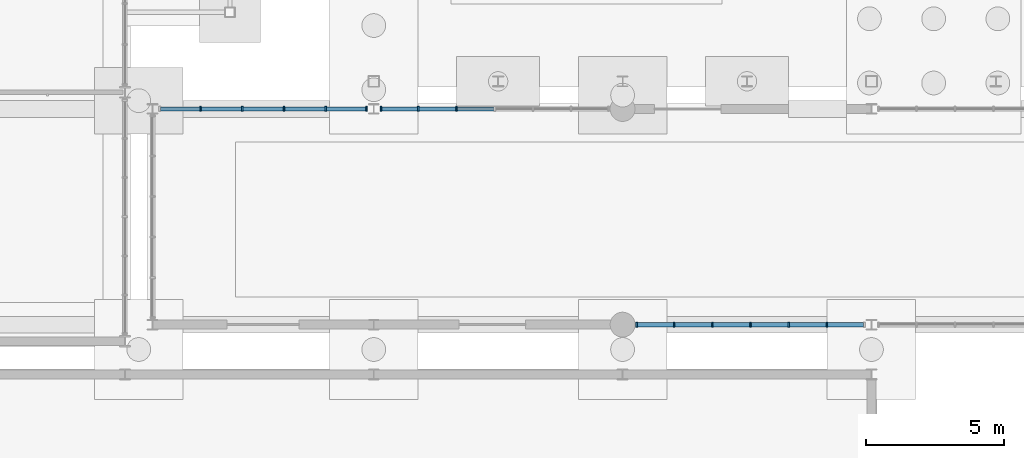
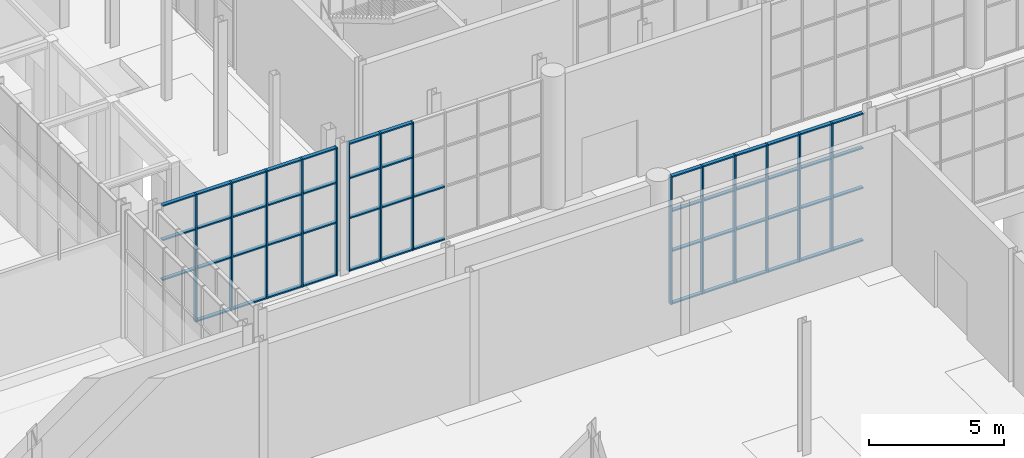
# One storey, part 41 of 131: 67 members, 3 elements without a shape of their own.
"""IFC4 building model written with IfcOpenShell, lengths in metres."""

import ifcopenshell
import ifcopenshell.guid

model = None  # the IFC model being written
_history = None  # IfcOwnerHistory: only IFC2X3 demands one
_inside = {}  # id of a spatial element -> (the spatial element, [elements in it])
_under = {}  # id of a project, library or spatial element -> (it, [spatial elements below it])
_declared = {}  # id of a project -> (the project, [libraries it declares])
_typed = {}  # id of a type object -> (the type object, [elements of that type])
_made_of = {}  # id of a material, layer set ... -> (it, [elements and type objects made of it])


def new_model(schema):
    """Start an empty IFC model of exactly this schema.

    Asked for "IFC4X3", IfcOpenShell would pick the latest addendum, in which some entities
    have other attributes; the version numbers below select the first issue.
    IFC2X3 requires an IfcOwnerHistory on every rooted entity: one is made here for all.
    """
    global model, _history
    if schema == "IFC4X3":
        model = ifcopenshell.file(schema_version=(4, 3, 0, 0))
    else:
        model = ifcopenshell.file(schema=schema)
    _inside.clear()
    _under.clear()
    _declared.clear()
    _typed.clear()
    _made_of.clear()
    _history = None
    if model.schema == "IFC2X3":
        org = make("IfcOrganization", Name="unknown")
        user = make(
            "IfcPersonAndOrganization",
            ThePerson=make("IfcPerson", FamilyName="unknown"),
            TheOrganization=org,
        )
        app = make(
            "IfcApplication",
            ApplicationDeveloper=org,
            Version="unknown",
            ApplicationFullName="unknown",
            ApplicationIdentifier="unknown",
        )
        _history = make(
            "IfcOwnerHistory",
            OwningUser=user,
            OwningApplication=app,
            ChangeAction="ADDED",
            CreationDate=0,
        )
    return model


def make(cls, **values):
    """One entity of the class cls with the attributes given. An attribute that is None is left unset."""
    return model.create_entity(
        cls, **{name: value for name, value in values.items() if value is not None}
    )


def rooted(cls, **values):
    """An entity with a GlobalId (a new one), such as an element, a storey or a relation."""
    return make(cls, GlobalId=ifcopenshell.guid.new(), OwnerHistory=_history, **values)


def si_unit(unit_type, name, prefix=None):
    """IfcSIUnit, for example si_unit("LENGTHUNIT", "METRE", prefix="MILLI")."""
    return make("IfcSIUnit", UnitType=unit_type, Prefix=prefix, Name=name)


def assignment(units):
    """IfcUnitAssignment: the units of a project."""
    return None if units is None else make("IfcUnitAssignment", Units=units)


def point(xyz):
    """IfcCartesianPoint."""
    return None if xyz is None else make("IfcCartesianPoint", Coordinates=xyz)


def direction(xyz):
    """IfcDirection."""
    return None if xyz is None else make("IfcDirection", DirectionRatios=xyz)


def frame(location, z_axis=None, x_axis=None):
    """IfcAxis2Placement3D, a coordinate frame: its origin and axes. An axis left out is left unset."""
    return make(
        "IfcAxis2Placement3D",
        Location=point(location),
        Axis=direction(z_axis),
        RefDirection=direction(x_axis),
    )


def frame_2d(location, x_axis=None):
    """IfcAxis2Placement2D, a coordinate frame in the plane: its origin and x axis."""
    return make(
        "IfcAxis2Placement2D", Location=point(location), RefDirection=direction(x_axis)
    )


def origin():
    """The frame at (0, 0, 0) with its axes left unset."""
    return frame((0.0, 0.0, 0.0))


def origin_2d():
    """The frame at (0, 0) in the plane with its x axis left unset."""
    return frame_2d((0.0, 0.0))


def place(relative_to, where):
    """IfcLocalPlacement: puts the frame where relative to a parent placement (None: the world)."""
    return make(
        "IfcLocalPlacement", PlacementRelTo=relative_to, RelativePlacement=where
    )


def context(
    kind, dimensions, precision=None, world=None, true_north=None, identifier=None
):
    """IfcGeometricRepresentationContext, for example the 3D "Model" context."""
    return make(
        "IfcGeometricRepresentationContext",
        ContextIdentifier=identifier,
        ContextType=kind,
        CoordinateSpaceDimension=dimensions,
        Precision=precision,
        WorldCoordinateSystem=world,
        TrueNorth=true_north,
    )


def subcontext(parent, identifier, kind, view, scale=None):
    """IfcGeometricRepresentationSubContext, for example "Body" below "Model"."""
    return make(
        "IfcGeometricRepresentationSubContext",
        ContextIdentifier=identifier,
        ContextType=kind,
        ParentContext=parent,
        TargetScale=scale,
        TargetView=view,
    )


def project(units=None, contexts=None):
    """IfcProject with its units and contexts."""
    return rooted(
        "IfcProject",
        Name="project",
        RepresentationContexts=contexts,
        UnitsInContext=assignment(units),
    )


def spatial(cls, under=None, at=None, **own):
    """A site, building, storey or space (cls), placed at a placement, below another one or the project."""
    s = rooted(cls, ObjectPlacement=at, **own)
    if under is not None:
        _under.setdefault(under.id(), (under, []))[1].append(s)
    return s


def profile(cls, at=None, kind="AREA", **sizes):
    """A parametric profile (cls). Its sizes go by their IFC names, for example OverallWidth=200.0."""
    return make(cls, ProfileType=kind, Position=at, **sizes)


def rectangle(**sizes):
    """IfcRectangleProfileDef."""
    return profile("IfcRectangleProfileDef", **sizes)


def extrude(swept, where, along, depth):
    """IfcExtrudedAreaSolid: the profile swept, set in the frame where, extruded along a direction by depth."""
    return make(
        "IfcExtrudedAreaSolid",
        SweptArea=swept,
        Position=where,
        ExtrudedDirection=direction(along),
        Depth=depth,
    )


def shape(context_of_items, identifier, shape_type, items):
    """IfcShapeRepresentation: the items that make up one representation, for example the "Body"."""
    return make(
        "IfcShapeRepresentation",
        ContextOfItems=context_of_items,
        RepresentationIdentifier=identifier,
        RepresentationType=shape_type,
        Items=items,
    )


def material(Name=None, Category=None):
    """IfcMaterial."""
    return make("IfcMaterial", Name=Name, Category=Category)


def layer(
    of_material, thickness, ventilated=None, Name=None, Category=None, Priority=None
):
    """IfcMaterialLayer: one layer of a wall or slab, of a material (None: an air gap)."""
    return make(
        "IfcMaterialLayer",
        Material=of_material,
        LayerThickness=thickness,
        IsVentilated=ventilated,
        Name=Name,
        Category=Category,
        Priority=Priority,
    )


def layer_set(layers, Name=None):
    """IfcMaterialLayerSet."""
    return make("IfcMaterialLayerSet", MaterialLayers=layers, LayerSetName=Name)


def material_profile(
    of_material, cross_section, Name=None, Category=None, Priority=None
):
    """IfcMaterialProfile: a cross section and its material."""
    return make(
        "IfcMaterialProfile",
        Name=Name,
        Material=of_material,
        Profile=cross_section,
        Priority=Priority,
        Category=Category,
    )


def profile_set(profiles, Name=None, composite=None):
    """IfcMaterialProfileSet."""
    return make(
        "IfcMaterialProfileSet",
        Name=Name,
        MaterialProfiles=profiles,
        CompositeProfile=composite,
    )


def made_of(thing, what):
    """Note that an element or type object is made of a material, layer set ...; save() writes the relation."""
    if what is not None:
        _made_of.setdefault(what.id(), (what, []))[1].append(thing)
    return thing


def type_object(cls, material=None, **own):
    """A type object (cls), such as IfcWallType, which elements share."""
    return made_of(rooted(cls, **own), material)


def element(
    cls,
    number,
    at=None,
    inside=None,
    cuts=None,
    type_object=None,
    material=None,
    context=None,
    identifier="Body",
    shape_type=None,
    held_by="IfcProductDefinitionShape",
    body=None,
    shapes=None,
    **own,
):
    """One element of the class cls, such as IfcWall. Its Tag is "e" and its number.

    at: its placement. inside: the storey or other place that contains it. cuts: it is an
    opening in that element (IfcRelVoidsElement). A single representation is given by context,
    identifier, shape_type and body (its items); several are given by shapes. held_by: the class
    of the entity that holds the representations. save() writes the other relations.
    """
    e = rooted(cls, Tag="e%d" % number, ObjectPlacement=at, **own)
    if body is not None:
        shapes = [shape(context, identifier, shape_type, body)]
    if shapes is not None:
        e.Representation = make(held_by, Representations=shapes)
    if inside is not None:
        _inside.setdefault(inside.id(), (inside, []))[1].append(e)
    if cuts is not None:
        rooted(
            "IfcRelVoidsElement", RelatingBuildingElement=cuts, RelatedOpeningElement=e
        )
    if type_object is not None:
        _typed.setdefault(type_object.id(), (type_object, []))[1].append(e)
    return made_of(e, material)


def aggregate(whole, parts):
    """IfcRelAggregates: a whole, such as a stair, and the parts it consists of."""
    return rooted("IfcRelAggregates", RelatingObject=whole, RelatedObjects=parts)


def save(model, path):
    """Write the relations noted so far, then the file.

    IfcRelAggregates (storeys below a building ...), IfcRelContainedInSpatialStructure (elements
    in a storey), IfcRelDefinesByType, IfcRelAssociatesMaterial and IfcRelDeclares: one each for
    every whole, place, type object, material and project.
    """
    for whole, parts in _under.values():
        aggregate(whole, parts)
    for where, things in _inside.values():
        rooted(
            "IfcRelContainedInSpatialStructure",
            RelatedElements=things,
            RelatingStructure=where,
        )
    for kind, things in _typed.values():
        rooted("IfcRelDefinesByType", RelatedObjects=things, RelatingType=kind)
    for what, things in _made_of.values():
        rooted("IfcRelAssociatesMaterial", RelatedObjects=things, RelatingMaterial=what)
    for by, libraries in _declared.values():
        rooted("IfcRelDeclares", RelatingContext=by, RelatedDefinitions=libraries)
    model.write(path)


model = new_model("IFC4")

# Units and contexts
model_context = context("Model", 3, precision=1e-05, world=origin(), true_north=direction((0.0, 1.0)))
body_context = subcontext(model_context, "Body", "Model", "MODEL_VIEW")
ifc_project = project(units=[si_unit("LENGTHUNIT", "METRE"), si_unit("AREAUNIT", "SQUARE_METRE"), si_unit("VOLUMEUNIT", "CUBIC_METRE"), si_unit("PLANEANGLEUNIT", "RADIAN"), si_unit("MASSUNIT", "GRAM", prefix="KILO")], contexts=[model_context])

# Site, building, storey
site_placement = place(None, origin())
site = spatial("IfcSite", under=ifc_project, at=site_placement, CompositionType="ELEMENT")
building_placement = place(site_placement, origin())
building = spatial("IfcBuilding", under=site, at=building_placement, Name="Cazmaro Siding Exhibition Halls", CompositionType="ELEMENT")
storey_placement = place(building_placement, origin())
storey = spatial("IfcBuildingStorey", under=building, at=storey_placement, Name="L00", CompositionType="ELEMENT", Elevation=0.0)

# Curtain wall, members
ifc_material_1 = material(Name="Anodized Bronze Aluminum and Solar-Control Low-E Glazing", Category="aluminium")
ifc_layer = layer(ifc_material_1, 0.179931640625)
ifc_layer_set = layer_set([ifc_layer], Name="Anodized Bronze Aluminum and Solar-Control Low-E Glazing")
curtain_wall_type = type_object("IfcCurtainWallType", Name="CWS-01", PredefinedType="USERDEFINED", material=ifc_layer_set)
curtain_wall_1_placement = place(storey_placement, origin())
curtain_wall_1 = element("IfcCurtainWall", 1, at=curtain_wall_1_placement, inside=storey, type_object=curtain_wall_type, Name="Glazed Curtain Wall CWS-01 CW-140", ObjectType="GLAZED CURTAIN WALL", PredefinedType="USERDEFINED")
ifc_material_2 = material(Name="Anodized Bronze Extruded Aluminum", Category="aluminium")
ifc_material_profile_1 = material_profile(ifc_material_2, rectangle(XDim=0.179931640625, YDim=0.06005859375, at=origin_2d()), Name="CWM-01")
ifc_profile_set_1 = profile_set([ifc_material_profile_1], Name="Anodized Bronze Extruded Aluminum")
member_type_1 = type_object("IfcMemberType", Name="CWM-01", PredefinedType="MULLION", material=ifc_profile_set_1)
member_1_placement = place(storey_placement, frame((44.739990234375, 63.0, 0.0), z_axis=(0.0, 0.0, 1.0), x_axis=(0.0, -1.0, 0.0)))
member_1 = element("IfcMember", 2, at=member_1_placement, type_object=member_type_1, Name="CWS-01 mullion 1", PredefinedType="MULLION", context=body_context, shape_type="SweptSolid", body=[
    extrude(rectangle(XDim=0.179931640625, YDim=0.06005859375, at=origin_2d()), origin(), (0.0, 0.0, 1.0), 5.780029296875),
])
member_2_placement = place(storey_placement, frame((43.261962890625, 63.0, 0.0), z_axis=(0.0, 0.0, 1.0), x_axis=(0.0, -1.0, 0.0)))
member_2 = element("IfcMember", 3, at=member_2_placement, type_object=member_type_1, Name="CWS-01 mullion 2", PredefinedType="MULLION", context=body_context, shape_type="SweptSolid", body=[
    extrude(rectangle(XDim=0.179931640625, YDim=0.06005859375, at=origin_2d()), origin(), (0.0, 0.0, 1.0), 5.780029296875),
])
member_3_placement = place(storey_placement, frame((41.75390625, 63.0, 0.0), z_axis=(0.0, 0.0, 1.0), x_axis=(0.0, -1.0, 0.0)))
member_3 = element("IfcMember", 4, at=member_3_placement, type_object=member_type_1, Name="CWS-01 mullion 3", PredefinedType="MULLION", context=body_context, shape_type="SweptSolid", body=[
    extrude(rectangle(XDim=0.179931640625, YDim=0.06005859375, at=origin_2d()), origin(), (0.0, 0.0, 1.0), 5.780029296875),
])
member_4_placement = place(storey_placement, frame((40.24609375, 63.0, 0.0), z_axis=(0.0, 0.0, 1.0), x_axis=(0.0, -1.0, 0.0)))
member_4 = element("IfcMember", 5, at=member_4_placement, type_object=member_type_1, Name="CWS-01 mullion 4", PredefinedType="MULLION", context=body_context, shape_type="SweptSolid", body=[
    extrude(rectangle(XDim=0.179931640625, YDim=0.06005859375, at=origin_2d()), origin(), (0.0, 0.0, 1.0), 5.780029296875),
])
member_5_placement = place(storey_placement, frame((38.738037109375, 63.0, 0.0), z_axis=(0.0, 0.0, 1.0), x_axis=(0.0, -1.0, 0.0)))
member_5 = element("IfcMember", 6, at=member_5_placement, type_object=member_type_1, Name="CWS-01 mullion 5", PredefinedType="MULLION", context=body_context, shape_type="SweptSolid", body=[
    extrude(rectangle(XDim=0.179931640625, YDim=0.06005859375, at=origin_2d()), origin(), (0.0, 0.0, 1.0), 5.780029296875),
])

curtain_wall_2_placement = place(storey_placement, origin())
curtain_wall_2 = element("IfcCurtainWall", 7, at=curtain_wall_2_placement, inside=storey, type_object=curtain_wall_type, Name="Glazed Curtain Wall CWS-01 CW-145", ObjectType="GLAZED CURTAIN WALL", PredefinedType="USERDEFINED")
member_6_placement = place(storey_placement, frame((47.992431640625, 63.0, 0.0), z_axis=(0.0, 0.0, 1.0), x_axis=(0.0, -1.0, 0.0)))
member_6 = element("IfcMember", 8, at=member_6_placement, type_object=member_type_1, Name="CWS-01 mullion 5", PredefinedType="MULLION", context=body_context, shape_type="SweptSolid", body=[
    extrude(rectangle(XDim=0.179931640625, YDim=0.06005859375, at=origin_2d()), origin(), (0.0, 0.0, 1.0), 5.780029296875),
])
member_7_placement = place(storey_placement, frame((46.611083984375, 63.0, 0.0), z_axis=(0.0, 0.0, 1.0), x_axis=(0.0, -1.0, 0.0)))
member_7 = element("IfcMember", 9, at=member_7_placement, type_object=member_type_1, Name="CWS-01 mullion 6", PredefinedType="MULLION", context=body_context, shape_type="SweptSolid", body=[
    extrude(rectangle(XDim=0.179931640625, YDim=0.06005859375, at=origin_2d()), origin(), (0.0, 0.0, 1.0), 5.780029296875),
])
member_8_placement = place(storey_placement, frame((45.260009765625, 63.0, 0.0), z_axis=(0.0, 0.0, 1.0), x_axis=(0.0, -1.0, 0.0)))
member_8 = element("IfcMember", 10, at=member_8_placement, type_object=member_type_1, Name="CWS-01 mullion 7", PredefinedType="MULLION", context=body_context, shape_type="SweptSolid", body=[
    extrude(rectangle(XDim=0.179931640625, YDim=0.06005859375, at=origin_2d()), origin(), (0.0, 0.0, 1.0), 5.780029296875),
])

curtain_wall_3_placement = place(storey_placement, origin())
curtain_wall_3 = element("IfcCurtainWall", 11, at=curtain_wall_3_placement, inside=storey, type_object=curtain_wall_type, Name="Glazed Curtain Wall CWS-01 CW-150", ObjectType="GLAZED CURTAIN WALL", PredefinedType="USERDEFINED")
member_9_placement = place(storey_placement, frame((54.512939453125, 55.199951171875, 0.0), z_axis=(0.0, 0.0, 1.0), x_axis=(0.0, 1.0, 0.0)))
member_9 = element("IfcMember", 12, at=member_9_placement, type_object=member_type_1, Name="CWS-01 mullion 1", PredefinedType="MULLION", context=body_context, shape_type="SweptSolid", body=[
    extrude(rectangle(XDim=0.179931640625, YDim=0.06005859375, at=origin_2d()), origin(), (0.0, 0.0, 1.0), 5.780029296875),
])
member_10_placement = place(storey_placement, frame((55.8642578125, 55.199951171875, 0.0), z_axis=(0.0, 0.0, 1.0), x_axis=(0.0, 1.0, 0.0)))
member_10 = element("IfcMember", 13, at=member_10_placement, type_object=member_type_1, Name="CWS-01 mullion 2", PredefinedType="MULLION", context=body_context, shape_type="SweptSolid", body=[
    extrude(rectangle(XDim=0.179931640625, YDim=0.06005859375, at=origin_2d()), origin(), (0.0, 0.0, 1.0), 5.780029296875),
])
member_11_placement = place(storey_placement, frame((57.245361328125, 55.199951171875, 0.0), z_axis=(0.0, 0.0, 1.0), x_axis=(0.0, 1.0, 0.0)))
member_11 = element("IfcMember", 14, at=member_11_placement, type_object=member_type_1, Name="CWS-01 mullion 3", PredefinedType="MULLION", context=body_context, shape_type="SweptSolid", body=[
    extrude(rectangle(XDim=0.179931640625, YDim=0.06005859375, at=origin_2d()), origin(), (0.0, 0.0, 1.0), 5.780029296875),
])
member_12_placement = place(storey_placement, frame((58.62646484375, 55.199951171875, 0.0), z_axis=(0.0, 0.0, 1.0), x_axis=(0.0, 1.0, 0.0)))
member_12 = element("IfcMember", 15, at=member_12_placement, type_object=member_type_1, Name="CWS-01 mullion 4", PredefinedType="MULLION", context=body_context, shape_type="SweptSolid", body=[
    extrude(rectangle(XDim=0.179931640625, YDim=0.06005859375, at=origin_2d()), origin(), (0.0, 0.0, 1.0), 5.780029296875),
])
member_13_placement = place(storey_placement, frame((60.007568359375, 55.199951171875, 0.0), z_axis=(0.0, 0.0, 1.0), x_axis=(0.0, 1.0, 0.0)))
member_13 = element("IfcMember", 16, at=member_13_placement, type_object=member_type_1, Name="CWS-01 mullion 5", PredefinedType="MULLION", context=body_context, shape_type="SweptSolid", body=[
    extrude(rectangle(XDim=0.179931640625, YDim=0.06005859375, at=origin_2d()), origin(), (0.0, 0.0, 1.0), 5.780029296875),
])
member_14_placement = place(storey_placement, frame((61.388916015625, 55.199951171875, 0.0), z_axis=(0.0, 0.0, 1.0), x_axis=(0.0, 1.0, 0.0)))
member_14 = element("IfcMember", 17, at=member_14_placement, type_object=member_type_1, Name="CWS-01 mullion 6", PredefinedType="MULLION", context=body_context, shape_type="SweptSolid", body=[
    extrude(rectangle(XDim=0.179931640625, YDim=0.06005859375, at=origin_2d()), origin(), (0.0, 0.0, 1.0), 5.780029296875),
])

# Member
ifc_material_3 = material(Name="Anodized Bronze Extruded Aluminum", Category="aluminium")
ifc_material_profile_2 = material_profile(ifc_material_3, rectangle(XDim=0.159912109375, YDim=0.06005859375, at=origin_2d()), Name="CWT-01")
ifc_profile_set_2 = profile_set([ifc_material_profile_2], Name="Anodized Bronze Extruded Aluminum")
member_type_2 = type_object("IfcMemberType", Name="CWT-01", PredefinedType="MULLION", material=ifc_profile_set_2)
member_15_placement = place(storey_placement, frame((44.7099609375, 63.0, 0.030029296875), z_axis=(-1.0, 0.0, 0.0), x_axis=(0.0, -1.0, 0.0)))
member_15 = element("IfcMember", 18, at=member_15_placement, type_object=member_type_2, Name="CWS-01 transom 1.1", ObjectType="TRANSOM", PredefinedType="USERDEFINED", context=body_context, shape_type="SweptSolid", body=[
    extrude(rectangle(XDim=0.159912109375, YDim=0.06005859375, at=origin_2d()), origin(), (0.0, 0.0, 1.0), 1.41796875),
])

member_16_placement = place(storey_placement, frame((44.7099609375, 63.0, 2.39990234375), z_axis=(-1.0, 0.0, 0.0), x_axis=(0.0, -1.0, 0.0)))
member_16 = element("IfcMember", 19, at=member_16_placement, type_object=member_type_2, Name="CWS-01 transom 1.2", ObjectType="TRANSOM", PredefinedType="USERDEFINED", context=body_context, shape_type="SweptSolid", body=[
    extrude(rectangle(XDim=0.159912109375, YDim=0.06005859375, at=origin_2d()), origin(), (0.0, 0.0, 1.0), 1.41796875),
])

member_17_placement = place(storey_placement, frame((44.7099609375, 63.0, 4.199951171875), z_axis=(-1.0, 0.0, 0.0), x_axis=(0.0, -1.0, 0.0)))
member_17 = element("IfcMember", 20, at=member_17_placement, type_object=member_type_2, Name="CWS-01 transom 1.3", ObjectType="TRANSOM", PredefinedType="USERDEFINED", context=body_context, shape_type="SweptSolid", body=[
    extrude(rectangle(XDim=0.159912109375, YDim=0.06005859375, at=origin_2d()), origin(), (0.0, 0.0, 1.0), 1.41796875),
])

member_18_placement = place(storey_placement, frame((44.7099609375, 63.0, 5.75), z_axis=(-1.0, 0.0, 0.0), x_axis=(0.0, -1.0, 0.0)))
member_18 = element("IfcMember", 21, at=member_18_placement, type_object=member_type_2, Name="CWS-01 transom 1.4", ObjectType="TRANSOM", PredefinedType="USERDEFINED", context=body_context, shape_type="SweptSolid", body=[
    extrude(rectangle(XDim=0.159912109375, YDim=0.06005859375, at=origin_2d()), origin(), (0.0, 0.0, 1.0), 1.41796875),
])

member_19_placement = place(storey_placement, frame((43.23193359375, 63.0, 0.030029296875), z_axis=(-1.0, 0.0, 0.0), x_axis=(0.0, -1.0, 0.0)))
member_19 = element("IfcMember", 22, at=member_19_placement, type_object=member_type_2, Name="CWS-01 transom 2.1", ObjectType="TRANSOM", PredefinedType="USERDEFINED", context=body_context, shape_type="SweptSolid", body=[
    extrude(rectangle(XDim=0.159912109375, YDim=0.06005859375, at=origin_2d()), origin(), (0.0, 0.0, 1.0), 1.447998046875),
])

member_20_placement = place(storey_placement, frame((43.23193359375, 63.0, 2.39990234375), z_axis=(-1.0, 0.0, 0.0), x_axis=(0.0, -1.0, 0.0)))
member_20 = element("IfcMember", 23, at=member_20_placement, type_object=member_type_2, Name="CWS-01 transom 2.2", ObjectType="TRANSOM", PredefinedType="USERDEFINED", context=body_context, shape_type="SweptSolid", body=[
    extrude(rectangle(XDim=0.159912109375, YDim=0.06005859375, at=origin_2d()), origin(), (0.0, 0.0, 1.0), 1.447998046875),
])

member_21_placement = place(storey_placement, frame((43.23193359375, 63.0, 4.199951171875), z_axis=(-1.0, 0.0, 0.0), x_axis=(0.0, -1.0, 0.0)))
member_21 = element("IfcMember", 24, at=member_21_placement, type_object=member_type_2, Name="CWS-01 transom 2.3", ObjectType="TRANSOM", PredefinedType="USERDEFINED", context=body_context, shape_type="SweptSolid", body=[
    extrude(rectangle(XDim=0.159912109375, YDim=0.06005859375, at=origin_2d()), origin(), (0.0, 0.0, 1.0), 1.447998046875),
])

member_22_placement = place(storey_placement, frame((43.23193359375, 63.0, 5.75), z_axis=(-1.0, 0.0, 0.0), x_axis=(0.0, -1.0, 0.0)))
member_22 = element("IfcMember", 25, at=member_22_placement, type_object=member_type_2, Name="CWS-01 transom 2.4", ObjectType="TRANSOM", PredefinedType="USERDEFINED", context=body_context, shape_type="SweptSolid", body=[
    extrude(rectangle(XDim=0.159912109375, YDim=0.06005859375, at=origin_2d()), origin(), (0.0, 0.0, 1.0), 1.447998046875),
])

member_23_placement = place(storey_placement, frame((41.72412109375, 63.0, 0.030029296875), z_axis=(-1.0, 0.0, 0.0), x_axis=(0.0, -1.0, 0.0)))
member_23 = element("IfcMember", 26, at=member_23_placement, type_object=member_type_2, Name="CWS-01 transom 3.1", ObjectType="TRANSOM", PredefinedType="USERDEFINED", context=body_context, shape_type="SweptSolid", body=[
    extrude(rectangle(XDim=0.159912109375, YDim=0.06005859375, at=origin_2d()), origin(), (0.0, 0.0, 1.0), 1.4482421875),
])

member_24_placement = place(storey_placement, frame((41.72412109375, 63.0, 2.39990234375), z_axis=(-1.0, 0.0, 0.0), x_axis=(0.0, -1.0, 0.0)))
member_24 = element("IfcMember", 27, at=member_24_placement, type_object=member_type_2, Name="CWS-01 transom 3.2", ObjectType="TRANSOM", PredefinedType="USERDEFINED", context=body_context, shape_type="SweptSolid", body=[
    extrude(rectangle(XDim=0.159912109375, YDim=0.06005859375, at=origin_2d()), origin(), (0.0, 0.0, 1.0), 1.4482421875),
])

member_25_placement = place(storey_placement, frame((41.72412109375, 63.0, 4.199951171875), z_axis=(-1.0, 0.0, 0.0), x_axis=(0.0, -1.0, 0.0)))
member_25 = element("IfcMember", 28, at=member_25_placement, type_object=member_type_2, Name="CWS-01 transom 3.3", ObjectType="TRANSOM", PredefinedType="USERDEFINED", context=body_context, shape_type="SweptSolid", body=[
    extrude(rectangle(XDim=0.159912109375, YDim=0.06005859375, at=origin_2d()), origin(), (0.0, 0.0, 1.0), 1.4482421875),
])

member_26_placement = place(storey_placement, frame((41.72412109375, 63.0, 5.75), z_axis=(-1.0, 0.0, 0.0), x_axis=(0.0, -1.0, 0.0)))
member_26 = element("IfcMember", 29, at=member_26_placement, type_object=member_type_2, Name="CWS-01 transom 3.4", ObjectType="TRANSOM", PredefinedType="USERDEFINED", context=body_context, shape_type="SweptSolid", body=[
    extrude(rectangle(XDim=0.159912109375, YDim=0.06005859375, at=origin_2d()), origin(), (0.0, 0.0, 1.0), 1.4482421875),
])

member_27_placement = place(storey_placement, frame((40.216064453125, 63.0, 0.030029296875), z_axis=(-1.0, 0.0, 0.0), x_axis=(0.0, -1.0, 0.0)))
member_27 = element("IfcMember", 30, at=member_27_placement, type_object=member_type_2, Name="CWS-01 transom 4.1", ObjectType="TRANSOM", PredefinedType="USERDEFINED", context=body_context, shape_type="SweptSolid", body=[
    extrude(rectangle(XDim=0.159912109375, YDim=0.06005859375, at=origin_2d()), origin(), (0.0, 0.0, 1.0), 1.447998046875),
])

member_28_placement = place(storey_placement, frame((40.216064453125, 63.0, 2.39990234375), z_axis=(-1.0, 0.0, 0.0), x_axis=(0.0, -1.0, 0.0)))
member_28 = element("IfcMember", 31, at=member_28_placement, type_object=member_type_2, Name="CWS-01 transom 4.2", ObjectType="TRANSOM", PredefinedType="USERDEFINED", context=body_context, shape_type="SweptSolid", body=[
    extrude(rectangle(XDim=0.159912109375, YDim=0.06005859375, at=origin_2d()), origin(), (0.0, 0.0, 1.0), 1.447998046875),
])

member_29_placement = place(storey_placement, frame((40.216064453125, 63.0, 4.199951171875), z_axis=(-1.0, 0.0, 0.0), x_axis=(0.0, -1.0, 0.0)))
member_29 = element("IfcMember", 32, at=member_29_placement, type_object=member_type_2, Name="CWS-01 transom 4.3", ObjectType="TRANSOM", PredefinedType="USERDEFINED", context=body_context, shape_type="SweptSolid", body=[
    extrude(rectangle(XDim=0.159912109375, YDim=0.06005859375, at=origin_2d()), origin(), (0.0, 0.0, 1.0), 1.447998046875),
])

member_30_placement = place(storey_placement, frame((40.216064453125, 63.0, 5.75), z_axis=(-1.0, 0.0, 0.0), x_axis=(0.0, -1.0, 0.0)))
member_30 = element("IfcMember", 33, at=member_30_placement, type_object=member_type_2, Name="CWS-01 transom 4.4", ObjectType="TRANSOM", PredefinedType="USERDEFINED", context=body_context, shape_type="SweptSolid", body=[
    extrude(rectangle(XDim=0.159912109375, YDim=0.06005859375, at=origin_2d()), origin(), (0.0, 0.0, 1.0), 1.447998046875),
])

member_31_placement = place(storey_placement, frame((38.7080078125, 63.0, 2.39990234375), z_axis=(-1.0, 0.0, 0.0), x_axis=(0.0, -1.0, 0.0)))
member_31 = element("IfcMember", 34, at=member_31_placement, type_object=member_type_2, Name="CWS-01 transom 5.2", ObjectType="TRANSOM", PredefinedType="USERDEFINED", context=body_context, shape_type="SweptSolid", body=[
    extrude(rectangle(XDim=0.159912109375, YDim=0.06005859375, at=origin_2d()), origin(), (0.0, 0.0, 1.0), 1.41796875),
])

member_32_placement = place(storey_placement, frame((38.7080078125, 63.0, 4.199951171875), z_axis=(-1.0, 0.0, 0.0), x_axis=(0.0, -1.0, 0.0)))
member_32 = element("IfcMember", 35, at=member_32_placement, type_object=member_type_2, Name="CWS-01 transom 5.3", ObjectType="TRANSOM", PredefinedType="USERDEFINED", context=body_context, shape_type="SweptSolid", body=[
    extrude(rectangle(XDim=0.159912109375, YDim=0.06005859375, at=origin_2d()), origin(), (0.0, 0.0, 1.0), 1.41796875),
])

member_33_placement = place(storey_placement, frame((38.7080078125, 63.0, 5.75), z_axis=(-1.0, 0.0, 0.0), x_axis=(0.0, -1.0, 0.0)))
member_33 = element("IfcMember", 36, at=member_33_placement, type_object=member_type_2, Name="CWS-01 transom 5.4", ObjectType="TRANSOM", PredefinedType="USERDEFINED", context=body_context, shape_type="SweptSolid", body=[
    extrude(rectangle(XDim=0.159912109375, YDim=0.06005859375, at=origin_2d()), origin(), (0.0, 0.0, 1.0), 1.41796875),
])

aggregate(curtain_wall_1, [member_1, member_2, member_3, member_4, member_5, member_15, member_16, member_17, member_18, member_19, member_20, member_21, member_22, member_23, member_24, member_25, member_26, member_27, member_28, member_29, member_30, member_31, member_32, member_33])

member_34_placement = place(storey_placement, frame((49.343505859375, 63.0, 0.030029296875), z_axis=(-1.0, 0.0, 0.0), x_axis=(0.0, -1.0, 0.0)))
member_34 = element("IfcMember", 37, at=member_34_placement, type_object=member_type_2, Name="CWS-01 transom 4.1", ObjectType="TRANSOM", PredefinedType="USERDEFINED", context=body_context, shape_type="SweptSolid", body=[
    extrude(rectangle(XDim=0.159912109375, YDim=0.06005859375, at=origin_2d()), origin(), (0.0, 0.0, 1.0), 1.3212890625),
])

member_35_placement = place(storey_placement, frame((49.343505859375, 63.0, 2.39990234375), z_axis=(-1.0, 0.0, 0.0), x_axis=(0.0, -1.0, 0.0)))
member_35 = element("IfcMember", 38, at=member_35_placement, type_object=member_type_2, Name="CWS-01 transom 4.2", ObjectType="TRANSOM", PredefinedType="USERDEFINED", context=body_context, shape_type="SweptSolid", body=[
    extrude(rectangle(XDim=0.159912109375, YDim=0.06005859375, at=origin_2d()), origin(), (0.0, 0.0, 1.0), 1.3212890625),
])

member_36_placement = place(storey_placement, frame((47.96240234375, 63.0, 0.030029296875), z_axis=(-1.0, 0.0, 0.0), x_axis=(0.0, -1.0, 0.0)))
member_36 = element("IfcMember", 39, at=member_36_placement, type_object=member_type_2, Name="CWS-01 transom 5.1", ObjectType="TRANSOM", PredefinedType="USERDEFINED", context=body_context, shape_type="SweptSolid", body=[
    extrude(rectangle(XDim=0.159912109375, YDim=0.06005859375, at=origin_2d()), origin(), (0.0, 0.0, 1.0), 1.3212890625),
])

member_37_placement = place(storey_placement, frame((47.96240234375, 63.0, 2.39990234375), z_axis=(-1.0, 0.0, 0.0), x_axis=(0.0, -1.0, 0.0)))
member_37 = element("IfcMember", 40, at=member_37_placement, type_object=member_type_2, Name="CWS-01 transom 5.2", ObjectType="TRANSOM", PredefinedType="USERDEFINED", context=body_context, shape_type="SweptSolid", body=[
    extrude(rectangle(XDim=0.159912109375, YDim=0.06005859375, at=origin_2d()), origin(), (0.0, 0.0, 1.0), 1.3212890625),
])

member_38_placement = place(storey_placement, frame((47.96240234375, 63.0, 4.199951171875), z_axis=(-1.0, 0.0, 0.0), x_axis=(0.0, -1.0, 0.0)))
member_38 = element("IfcMember", 41, at=member_38_placement, type_object=member_type_2, Name="CWS-01 transom 5.3", ObjectType="TRANSOM", PredefinedType="USERDEFINED", context=body_context, shape_type="SweptSolid", body=[
    extrude(rectangle(XDim=0.159912109375, YDim=0.06005859375, at=origin_2d()), origin(), (0.0, 0.0, 1.0), 1.3212890625),
])

member_39_placement = place(storey_placement, frame((47.96240234375, 63.0, 5.75), z_axis=(-1.0, 0.0, 0.0), x_axis=(0.0, -1.0, 0.0)))
member_39 = element("IfcMember", 42, at=member_39_placement, type_object=member_type_2, Name="CWS-01 transom 5.4", ObjectType="TRANSOM", PredefinedType="USERDEFINED", context=body_context, shape_type="SweptSolid", body=[
    extrude(rectangle(XDim=0.159912109375, YDim=0.06005859375, at=origin_2d()), origin(), (0.0, 0.0, 1.0), 1.3212890625),
])

member_40_placement = place(storey_placement, frame((46.5810546875, 63.0, 0.030029296875), z_axis=(-1.0, 0.0, 0.0), x_axis=(0.0, -1.0, 0.0)))
member_40 = element("IfcMember", 43, at=member_40_placement, type_object=member_type_2, Name="CWS-01 transom 6.1", ObjectType="TRANSOM", PredefinedType="USERDEFINED", context=body_context, shape_type="SweptSolid", body=[
    extrude(rectangle(XDim=0.159912109375, YDim=0.06005859375, at=origin_2d()), origin(), (0.0, 0.0, 1.0), 1.291015625),
])

member_41_placement = place(storey_placement, frame((46.5810546875, 63.0, 2.39990234375), z_axis=(-1.0, 0.0, 0.0), x_axis=(0.0, -1.0, 0.0)))
member_41 = element("IfcMember", 44, at=member_41_placement, type_object=member_type_2, Name="CWS-01 transom 6.2", ObjectType="TRANSOM", PredefinedType="USERDEFINED", context=body_context, shape_type="SweptSolid", body=[
    extrude(rectangle(XDim=0.159912109375, YDim=0.06005859375, at=origin_2d()), origin(), (0.0, 0.0, 1.0), 1.291015625),
])

member_42_placement = place(storey_placement, frame((46.5810546875, 63.0, 4.199951171875), z_axis=(-1.0, 0.0, 0.0), x_axis=(0.0, -1.0, 0.0)))
member_42 = element("IfcMember", 45, at=member_42_placement, type_object=member_type_2, Name="CWS-01 transom 6.3", ObjectType="TRANSOM", PredefinedType="USERDEFINED", context=body_context, shape_type="SweptSolid", body=[
    extrude(rectangle(XDim=0.159912109375, YDim=0.06005859375, at=origin_2d()), origin(), (0.0, 0.0, 1.0), 1.291015625),
])

member_43_placement = place(storey_placement, frame((46.5810546875, 63.0, 5.75), z_axis=(-1.0, 0.0, 0.0), x_axis=(0.0, -1.0, 0.0)))
member_43 = element("IfcMember", 46, at=member_43_placement, type_object=member_type_2, Name="CWS-01 transom 6.4", ObjectType="TRANSOM", PredefinedType="USERDEFINED", context=body_context, shape_type="SweptSolid", body=[
    extrude(rectangle(XDim=0.159912109375, YDim=0.06005859375, at=origin_2d()), origin(), (0.0, 0.0, 1.0), 1.291015625),
])

aggregate(curtain_wall_2, [member_6, member_7, member_8, member_34, member_35, member_36, member_37, member_38, member_39, member_40, member_41, member_42, member_43])

member_44_placement = place(storey_placement, frame((54.54296875, 55.199951171875, 0.030029296875), z_axis=(1.0, 0.0, 0.0), x_axis=(0.0, 1.0, 0.0)))
member_44 = element("IfcMember", 47, at=member_44_placement, type_object=member_type_2, Name="CWS-01 transom 1.1", ObjectType="TRANSOM", PredefinedType="USERDEFINED", context=body_context, shape_type="SweptSolid", body=[
    extrude(rectangle(XDim=0.159912109375, YDim=0.06005859375, at=origin_2d()), origin(), (0.0, 0.0, 1.0), 1.291259765625),
])

member_45_placement = place(storey_placement, frame((54.54296875, 55.199951171875, 2.39990234375), z_axis=(1.0, 0.0, 0.0), x_axis=(0.0, 1.0, 0.0)))
member_45 = element("IfcMember", 48, at=member_45_placement, type_object=member_type_2, Name="CWS-01 transom 1.2", ObjectType="TRANSOM", PredefinedType="USERDEFINED", context=body_context, shape_type="SweptSolid", body=[
    extrude(rectangle(XDim=0.159912109375, YDim=0.06005859375, at=origin_2d()), origin(), (0.0, 0.0, 1.0), 1.291259765625),
])

member_46_placement = place(storey_placement, frame((54.54296875, 55.199951171875, 4.199951171875), z_axis=(1.0, 0.0, 0.0), x_axis=(0.0, 1.0, 0.0)))
member_46 = element("IfcMember", 49, at=member_46_placement, type_object=member_type_2, Name="CWS-01 transom 1.3", ObjectType="TRANSOM", PredefinedType="USERDEFINED", context=body_context, shape_type="SweptSolid", body=[
    extrude(rectangle(XDim=0.159912109375, YDim=0.06005859375, at=origin_2d()), origin(), (0.0, 0.0, 1.0), 1.291259765625),
])

member_47_placement = place(storey_placement, frame((54.54296875, 55.199951171875, 5.75), z_axis=(1.0, 0.0, 0.0), x_axis=(0.0, 1.0, 0.0)))
member_47 = element("IfcMember", 50, at=member_47_placement, type_object=member_type_2, Name="CWS-01 transom 1.4", ObjectType="TRANSOM", PredefinedType="USERDEFINED", context=body_context, shape_type="SweptSolid", body=[
    extrude(rectangle(XDim=0.159912109375, YDim=0.06005859375, at=origin_2d()), origin(), (0.0, 0.0, 1.0), 1.291259765625),
])

member_48_placement = place(storey_placement, frame((55.894287109375, 55.199951171875, 0.030029296875), z_axis=(1.0, 0.0, 0.0), x_axis=(0.0, 1.0, 0.0)))
member_48 = element("IfcMember", 51, at=member_48_placement, type_object=member_type_2, Name="CWS-01 transom 2.1", ObjectType="TRANSOM", PredefinedType="USERDEFINED", context=body_context, shape_type="SweptSolid", body=[
    extrude(rectangle(XDim=0.159912109375, YDim=0.06005859375, at=origin_2d()), origin(), (0.0, 0.0, 1.0), 1.321044921875),
])

member_49_placement = place(storey_placement, frame((55.894287109375, 55.199951171875, 2.39990234375), z_axis=(1.0, 0.0, 0.0), x_axis=(0.0, 1.0, 0.0)))
member_49 = element("IfcMember", 52, at=member_49_placement, type_object=member_type_2, Name="CWS-01 transom 2.2", ObjectType="TRANSOM", PredefinedType="USERDEFINED", context=body_context, shape_type="SweptSolid", body=[
    extrude(rectangle(XDim=0.159912109375, YDim=0.06005859375, at=origin_2d()), origin(), (0.0, 0.0, 1.0), 1.321044921875),
])

member_50_placement = place(storey_placement, frame((55.894287109375, 55.199951171875, 4.199951171875), z_axis=(1.0, 0.0, 0.0), x_axis=(0.0, 1.0, 0.0)))
member_50 = element("IfcMember", 53, at=member_50_placement, type_object=member_type_2, Name="CWS-01 transom 2.3", ObjectType="TRANSOM", PredefinedType="USERDEFINED", context=body_context, shape_type="SweptSolid", body=[
    extrude(rectangle(XDim=0.159912109375, YDim=0.06005859375, at=origin_2d()), origin(), (0.0, 0.0, 1.0), 1.321044921875),
])

member_51_placement = place(storey_placement, frame((55.894287109375, 55.199951171875, 5.75), z_axis=(1.0, 0.0, 0.0), x_axis=(0.0, 1.0, 0.0)))
member_51 = element("IfcMember", 54, at=member_51_placement, type_object=member_type_2, Name="CWS-01 transom 2.4", ObjectType="TRANSOM", PredefinedType="USERDEFINED", context=body_context, shape_type="SweptSolid", body=[
    extrude(rectangle(XDim=0.159912109375, YDim=0.06005859375, at=origin_2d()), origin(), (0.0, 0.0, 1.0), 1.321044921875),
])

member_52_placement = place(storey_placement, frame((57.275390625, 55.199951171875, 0.030029296875), z_axis=(1.0, 0.0, 0.0), x_axis=(0.0, 1.0, 0.0)))
member_52 = element("IfcMember", 55, at=member_52_placement, type_object=member_type_2, Name="CWS-01 transom 3.1", ObjectType="TRANSOM", PredefinedType="USERDEFINED", context=body_context, shape_type="SweptSolid", body=[
    extrude(rectangle(XDim=0.159912109375, YDim=0.06005859375, at=origin_2d()), origin(), (0.0, 0.0, 1.0), 1.321044921875),
])

member_53_placement = place(storey_placement, frame((57.275390625, 55.199951171875, 2.39990234375), z_axis=(1.0, 0.0, 0.0), x_axis=(0.0, 1.0, 0.0)))
member_53 = element("IfcMember", 56, at=member_53_placement, type_object=member_type_2, Name="CWS-01 transom 3.2", ObjectType="TRANSOM", PredefinedType="USERDEFINED", context=body_context, shape_type="SweptSolid", body=[
    extrude(rectangle(XDim=0.159912109375, YDim=0.06005859375, at=origin_2d()), origin(), (0.0, 0.0, 1.0), 1.321044921875),
])

member_54_placement = place(storey_placement, frame((57.275390625, 55.199951171875, 4.199951171875), z_axis=(1.0, 0.0, 0.0), x_axis=(0.0, 1.0, 0.0)))
member_54 = element("IfcMember", 57, at=member_54_placement, type_object=member_type_2, Name="CWS-01 transom 3.3", ObjectType="TRANSOM", PredefinedType="USERDEFINED", context=body_context, shape_type="SweptSolid", body=[
    extrude(rectangle(XDim=0.159912109375, YDim=0.06005859375, at=origin_2d()), origin(), (0.0, 0.0, 1.0), 1.321044921875),
])

member_55_placement = place(storey_placement, frame((57.275390625, 55.199951171875, 5.75), z_axis=(1.0, 0.0, 0.0), x_axis=(0.0, 1.0, 0.0)))
member_55 = element("IfcMember", 58, at=member_55_placement, type_object=member_type_2, Name="CWS-01 transom 3.4", ObjectType="TRANSOM", PredefinedType="USERDEFINED", context=body_context, shape_type="SweptSolid", body=[
    extrude(rectangle(XDim=0.159912109375, YDim=0.06005859375, at=origin_2d()), origin(), (0.0, 0.0, 1.0), 1.321044921875),
])

member_56_placement = place(storey_placement, frame((58.656494140625, 55.199951171875, 0.030029296875), z_axis=(1.0, 0.0, 0.0), x_axis=(0.0, 1.0, 0.0)))
member_56 = element("IfcMember", 59, at=member_56_placement, type_object=member_type_2, Name="CWS-01 transom 4.1", ObjectType="TRANSOM", PredefinedType="USERDEFINED", context=body_context, shape_type="SweptSolid", body=[
    extrude(rectangle(XDim=0.159912109375, YDim=0.06005859375, at=origin_2d()), origin(), (0.0, 0.0, 1.0), 1.3212890625),
])

member_57_placement = place(storey_placement, frame((58.656494140625, 55.199951171875, 2.39990234375), z_axis=(1.0, 0.0, 0.0), x_axis=(0.0, 1.0, 0.0)))
member_57 = element("IfcMember", 60, at=member_57_placement, type_object=member_type_2, Name="CWS-01 transom 4.2", ObjectType="TRANSOM", PredefinedType="USERDEFINED", context=body_context, shape_type="SweptSolid", body=[
    extrude(rectangle(XDim=0.159912109375, YDim=0.06005859375, at=origin_2d()), origin(), (0.0, 0.0, 1.0), 1.3212890625),
])

member_58_placement = place(storey_placement, frame((58.656494140625, 55.199951171875, 4.199951171875), z_axis=(1.0, 0.0, 0.0), x_axis=(0.0, 1.0, 0.0)))
member_58 = element("IfcMember", 61, at=member_58_placement, type_object=member_type_2, Name="CWS-01 transom 4.3", ObjectType="TRANSOM", PredefinedType="USERDEFINED", context=body_context, shape_type="SweptSolid", body=[
    extrude(rectangle(XDim=0.159912109375, YDim=0.06005859375, at=origin_2d()), origin(), (0.0, 0.0, 1.0), 1.3212890625),
])

member_59_placement = place(storey_placement, frame((58.656494140625, 55.199951171875, 5.75), z_axis=(1.0, 0.0, 0.0), x_axis=(0.0, 1.0, 0.0)))
member_59 = element("IfcMember", 62, at=member_59_placement, type_object=member_type_2, Name="CWS-01 transom 4.4", ObjectType="TRANSOM", PredefinedType="USERDEFINED", context=body_context, shape_type="SweptSolid", body=[
    extrude(rectangle(XDim=0.159912109375, YDim=0.06005859375, at=origin_2d()), origin(), (0.0, 0.0, 1.0), 1.3212890625),
])

member_60_placement = place(storey_placement, frame((60.03759765625, 55.199951171875, 0.030029296875), z_axis=(1.0, 0.0, 0.0), x_axis=(0.0, 1.0, 0.0)))
member_60 = element("IfcMember", 63, at=member_60_placement, type_object=member_type_2, Name="CWS-01 transom 5.1", ObjectType="TRANSOM", PredefinedType="USERDEFINED", context=body_context, shape_type="SweptSolid", body=[
    extrude(rectangle(XDim=0.159912109375, YDim=0.06005859375, at=origin_2d()), origin(), (0.0, 0.0, 1.0), 1.3212890625),
])

member_61_placement = place(storey_placement, frame((60.03759765625, 55.199951171875, 2.39990234375), z_axis=(1.0, 0.0, 0.0), x_axis=(0.0, 1.0, 0.0)))
member_61 = element("IfcMember", 64, at=member_61_placement, type_object=member_type_2, Name="CWS-01 transom 5.2", ObjectType="TRANSOM", PredefinedType="USERDEFINED", context=body_context, shape_type="SweptSolid", body=[
    extrude(rectangle(XDim=0.159912109375, YDim=0.06005859375, at=origin_2d()), origin(), (0.0, 0.0, 1.0), 1.3212890625),
])

member_62_placement = place(storey_placement, frame((60.03759765625, 55.199951171875, 4.199951171875), z_axis=(1.0, 0.0, 0.0), x_axis=(0.0, 1.0, 0.0)))
member_62 = element("IfcMember", 65, at=member_62_placement, type_object=member_type_2, Name="CWS-01 transom 5.3", ObjectType="TRANSOM", PredefinedType="USERDEFINED", context=body_context, shape_type="SweptSolid", body=[
    extrude(rectangle(XDim=0.159912109375, YDim=0.06005859375, at=origin_2d()), origin(), (0.0, 0.0, 1.0), 1.3212890625),
])

member_63_placement = place(storey_placement, frame((60.03759765625, 55.199951171875, 5.75), z_axis=(1.0, 0.0, 0.0), x_axis=(0.0, 1.0, 0.0)))
member_63 = element("IfcMember", 66, at=member_63_placement, type_object=member_type_2, Name="CWS-01 transom 5.4", ObjectType="TRANSOM", PredefinedType="USERDEFINED", context=body_context, shape_type="SweptSolid", body=[
    extrude(rectangle(XDim=0.159912109375, YDim=0.06005859375, at=origin_2d()), origin(), (0.0, 0.0, 1.0), 1.3212890625),
])

member_64_placement = place(storey_placement, frame((61.4189453125, 55.199951171875, 0.030029296875), z_axis=(1.0, 0.0, 0.0), x_axis=(0.0, 1.0, 0.0)))
member_64 = element("IfcMember", 67, at=member_64_placement, type_object=member_type_2, Name="CWS-01 transom 6.1", ObjectType="TRANSOM", PredefinedType="USERDEFINED", context=body_context, shape_type="SweptSolid", body=[
    extrude(rectangle(XDim=0.159912109375, YDim=0.06005859375, at=origin_2d()), origin(), (0.0, 0.0, 1.0), 1.291015625),
])

member_65_placement = place(storey_placement, frame((61.4189453125, 55.199951171875, 2.39990234375), z_axis=(1.0, 0.0, 0.0), x_axis=(0.0, 1.0, 0.0)))
member_65 = element("IfcMember", 68, at=member_65_placement, type_object=member_type_2, Name="CWS-01 transom 6.2", ObjectType="TRANSOM", PredefinedType="USERDEFINED", context=body_context, shape_type="SweptSolid", body=[
    extrude(rectangle(XDim=0.159912109375, YDim=0.06005859375, at=origin_2d()), origin(), (0.0, 0.0, 1.0), 1.291015625),
])

member_66_placement = place(storey_placement, frame((61.4189453125, 55.199951171875, 4.199951171875), z_axis=(1.0, 0.0, 0.0), x_axis=(0.0, 1.0, 0.0)))
member_66 = element("IfcMember", 69, at=member_66_placement, type_object=member_type_2, Name="CWS-01 transom 6.3", ObjectType="TRANSOM", PredefinedType="USERDEFINED", context=body_context, shape_type="SweptSolid", body=[
    extrude(rectangle(XDim=0.159912109375, YDim=0.06005859375, at=origin_2d()), origin(), (0.0, 0.0, 1.0), 1.291015625),
])

member_67_placement = place(storey_placement, frame((61.4189453125, 55.199951171875, 5.75), z_axis=(1.0, 0.0, 0.0), x_axis=(0.0, 1.0, 0.0)))
member_67 = element("IfcMember", 70, at=member_67_placement, type_object=member_type_2, Name="CWS-01 transom 6.4", ObjectType="TRANSOM", PredefinedType="USERDEFINED", context=body_context, shape_type="SweptSolid", body=[
    extrude(rectangle(XDim=0.159912109375, YDim=0.06005859375, at=origin_2d()), origin(), (0.0, 0.0, 1.0), 1.291015625),
])

aggregate(curtain_wall_3, [member_9, member_10, member_11, member_12, member_13, member_14, member_44, member_45, member_46, member_47, member_48, member_49, member_50, member_51, member_52, member_53, member_54, member_55, member_56, member_57, member_58, member_59, member_60, member_61, member_62, member_63, member_64, member_65, member_66, member_67])

save(model, "model.ifc")
